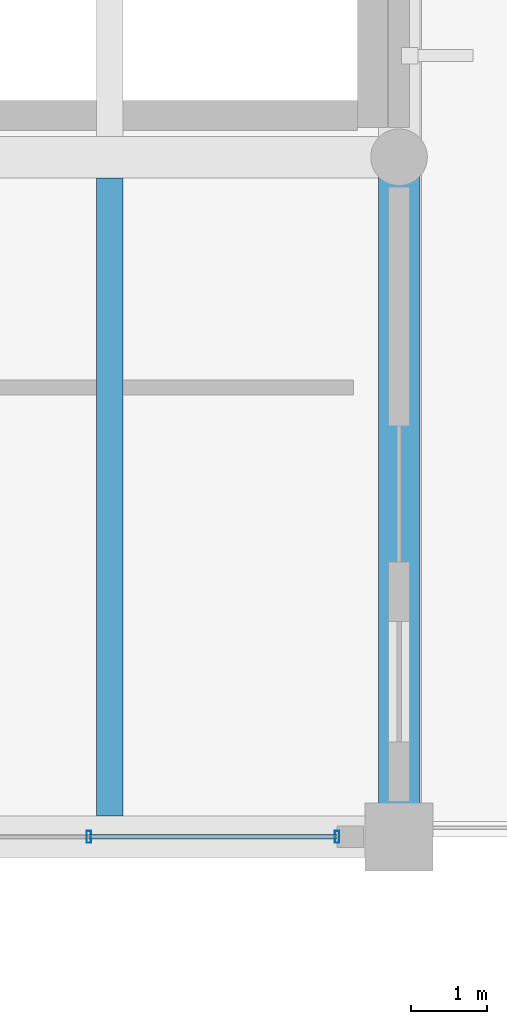
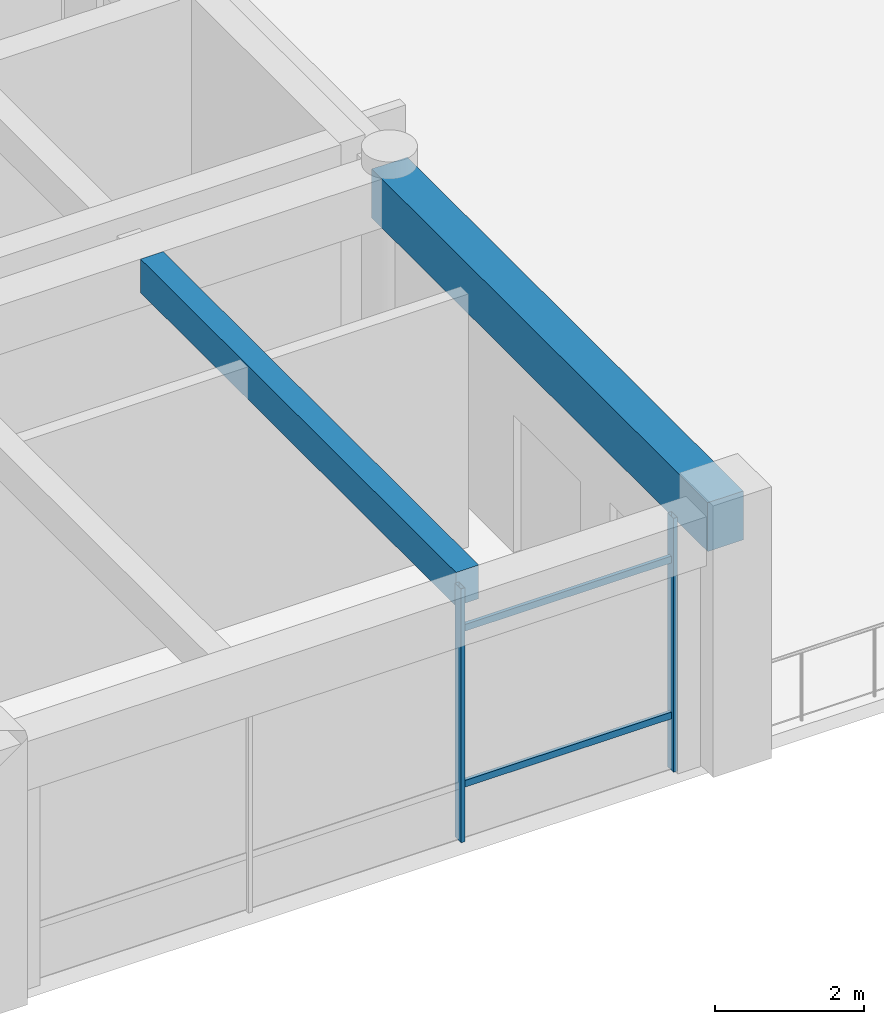
# One storey, part 15 of 27: 4 members, 2 beams, 1 element without a shape of its own.
"""IFC4 building model written with IfcOpenShell, lengths in metres."""

from ifc_helpers import new_model, si_unit, direction, frame, origin, origin_2d, place, context, subcontext, project, spatial, rectangle, hollow_rectangle, extrude, material, material_profile, profile_set, type_object, element, aggregate, save


model = new_model("IFC4")

# Units and contexts
model_context = context("Model", 3, precision=1e-05, world=origin(), true_north=direction((0.0, 1.0)))
body_context = subcontext(model_context, "Body", "Model", "MODEL_VIEW")
ifc_project = project(units=[si_unit("LENGTHUNIT", "METRE"), si_unit("AREAUNIT", "SQUARE_METRE"), si_unit("VOLUMEUNIT", "CUBIC_METRE"), si_unit("PLANEANGLEUNIT", "RADIAN"), si_unit("MASSUNIT", "GRAM", prefix="KILO")], contexts=[model_context])

# Site, building, storey
site_placement = place(None, origin())
site = spatial("IfcSite", under=ifc_project, at=site_placement, CompositionType="ELEMENT")
building_placement = place(site_placement, origin())
building = spatial("IfcBuilding", under=site, at=building_placement, Name="Ologun Quay Terminus", CompositionType="ELEMENT")
storey_placement = place(building_placement, frame((0.0, 0.0, 22.4599609375)))
storey = spatial("IfcBuildingStorey", under=building, at=storey_placement, Name="L05", CompositionType="ELEMENT", Elevation=22.4599609375)

# Curtain wall, members
ifc_material_1 = material(Name="Aluminium 6063-T6", Category="aluminium")
curtain_wall_type = type_object("IfcCurtainWallType", Name="Operations Wing Canteen Curtain Wall L05 10600x4050", PredefinedType="USERDEFINED", material=ifc_material_1)
curtain_wall_placement = place(storey_placement, origin())
curtain_wall = element("IfcCurtainWall", 1, at=curtain_wall_placement, inside=storey, type_object=curtain_wall_type, Name="CW-28 Curtain Wall CW-L05-153", ObjectType="UNITISED CURTAIN WALL", PredefinedType="USERDEFINED")
ifc_material_2 = material(Name="Aluminium 6063-T6", Category="aluminium")
ifc_material_profile_1 = material_profile(ifc_material_2, hollow_rectangle(XDim=0.06005859375, YDim=0.159912109375, WallThickness=0.00390625, at=origin_2d()), Name="ALU 160x60x4")
ifc_profile_set_1 = profile_set([ifc_material_profile_1], Name="Aluminium 6063-T6")
member_type_1 = type_object("IfcMemberType", Name="Courtyard Screen Mullion 160x65", PredefinedType="MULLION", material=ifc_profile_set_1)
member_1_placement = place(storey_placement, frame((145.393310546875, 85.800048828125, 0.0), z_axis=(0.0, 0.0, 1.0), x_axis=(1.0, 0.0, 0.0)))
member_1 = element("IfcMember", 2, at=member_1_placement, type_object=member_type_1, Name="CW-L05-153 Mullion 3", PredefinedType="MULLION", context=body_context, shape_type="SweptSolid", body=[
    extrude(hollow_rectangle(XDim=0.06005859375, YDim=0.159912109375, WallThickness=0.00390625, at=origin_2d()), origin(), (0.0, 0.0, 1.0), 4.150146484375),
])
member_2_placement = place(storey_placement, frame((148.679931640625, 85.800048828125, 0.0), z_axis=(0.0, 0.0, 1.0), x_axis=(1.0, 0.0, 0.0)))
member_2 = element("IfcMember", 3, at=member_2_placement, type_object=member_type_1, Name="CW-L05-153 Mullion 4", PredefinedType="MULLION", context=body_context, shape_type="SweptSolid", body=[
    extrude(hollow_rectangle(XDim=0.06005859375, YDim=0.159912109375, WallThickness=0.00390625, at=origin_2d()), origin(), (0.0, 0.0, 1.0), 4.150146484375),
])
ifc_material_3 = material(Name="Aluminium 6063-T6", Category="aluminium")
ifc_material_profile_2 = material_profile(ifc_material_3, hollow_rectangle(XDim=0.054931640625, YDim=0.110107421875, WallThickness=0.00390625, at=origin_2d()), Name="ALU 110x55x4")
ifc_profile_set_2 = profile_set([ifc_material_profile_2], Name="Aluminium 6063-T6")
member_type_2 = type_object("IfcMemberType", Name="Courtyard Screen Transom 110x55", PredefinedType="USERDEFINED", material=ifc_profile_set_2)
member_3_placement = place(storey_placement, frame((145.393310546875, 85.800048828125, 0.900146484375), z_axis=(1.0, 0.0, 0.0), x_axis=(0.0, 1.0, 0.0)))
member_3 = element("IfcMember", 4, at=member_3_placement, type_object=member_type_2, Name="CW-L05-153 Transom B3-1", ObjectType="TRANSOM", PredefinedType="USERDEFINED", context=body_context, shape_type="SweptSolid", body=[
    extrude(hollow_rectangle(XDim=0.054931640625, YDim=0.110107421875, WallThickness=0.00390625, at=origin_2d()), origin(), (0.0, 0.0, 1.0), 3.28662109375),
])
member_4_placement = place(storey_placement, frame((145.393310546875, 85.800048828125, 3.449951171875), z_axis=(1.0, 0.0, 0.0), x_axis=(0.0, 1.0, 0.0)))
member_4 = element("IfcMember", 5, at=member_4_placement, type_object=member_type_2, Name="CW-L05-153 Transom B3-2", ObjectType="TRANSOM", PredefinedType="USERDEFINED", context=body_context, shape_type="SweptSolid", body=[
    extrude(hollow_rectangle(XDim=0.054931640625, YDim=0.110107421875, WallThickness=0.00390625, at=origin_2d()), origin(), (0.0, 0.0, 1.0), 3.28662109375),
])
aggregate(curtain_wall, [member_1, member_2, member_3, member_4])

# Beams
ifc_material_4 = material(Name="Concrete C40/50", Category="concrete")
ifc_material_profile_3 = material_profile(ifc_material_4, rectangle(XDim=0.550048828125, YDim=0.800048828125, at=origin_2d()), Name="RC 550x800")
ifc_profile_set_3 = profile_set([ifc_material_profile_3], Name="Concrete C40/50")
beam_type_1 = type_object("IfcBeamType", Name="Courtyard Wing Primary Girder 550x800", PredefinedType="BEAM", material=ifc_profile_set_3)
beam_1_placement = place(storey_placement, frame((149.5, 85.800048828125, 3.760009765625), z_axis=(0.0, 1.0, 0.0), x_axis=(-1.0, 0.0, 0.0)))
element("IfcBeam", 6, at=beam_1_placement, inside=storey, type_object=beam_type_1, Name="B4 Beam 14/G2 L05", PredefinedType="BEAM", context=body_context, shape_type="SweptSolid", body=[
    extrude(rectangle(XDim=0.550048828125, YDim=0.800048828125, at=origin_2d()), origin(), (0.0, 0.0, 1.0), 9.0),
])
ifc_material_5 = material(Name="Concrete C40/50", Category="concrete")
ifc_material_profile_4 = material_profile(ifc_material_5, rectangle(XDim=0.35009765625, YDim=0.550048828125, at=origin_2d()), Name="RC 350x550")
ifc_profile_set_4 = profile_set([ifc_material_profile_4], Name="Concrete C40/50")
beam_type_2 = type_object("IfcBeamType", Name="Courtyard Wing Secondary Joist 350x550", PredefinedType="JOIST", material=ifc_profile_set_4)
beam_2_placement = place(storey_placement, frame((145.666748046875, 86.074951171875, 3.885009765625), z_axis=(0.0, 1.0, 0.0), x_axis=(-1.0, 0.0, 0.0)))
element("IfcBeam", 7, at=beam_2_placement, inside=storey, type_object=beam_type_2, Name="J2 Beam 13/G2 L05", PredefinedType="JOIST", context=body_context, shape_type="SweptSolid", body=[
    extrude(rectangle(XDim=0.35009765625, YDim=0.550048828125, at=origin_2d()), origin(), (0.0, 0.0, 1.0), 8.449951171875),
])

save(model, "model.ifc")
